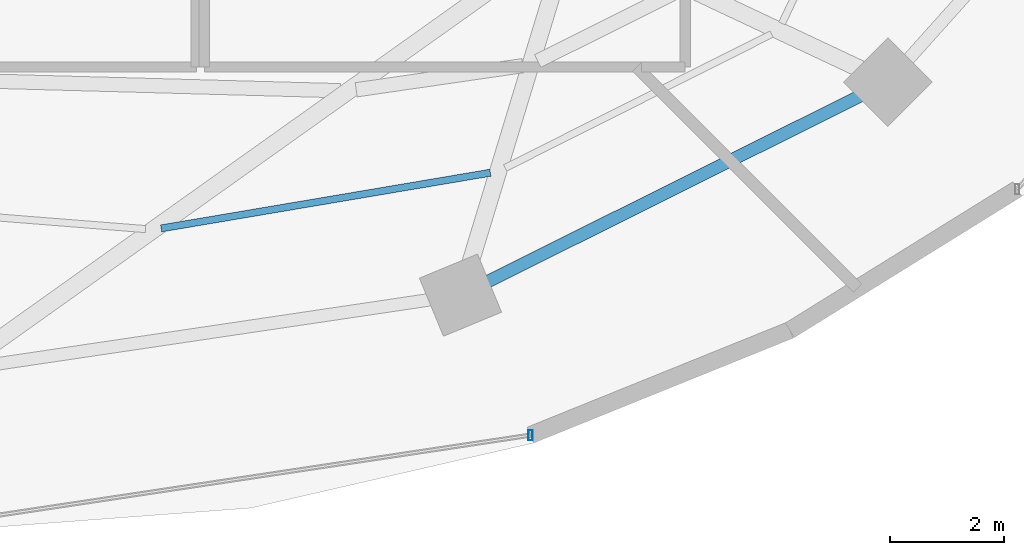
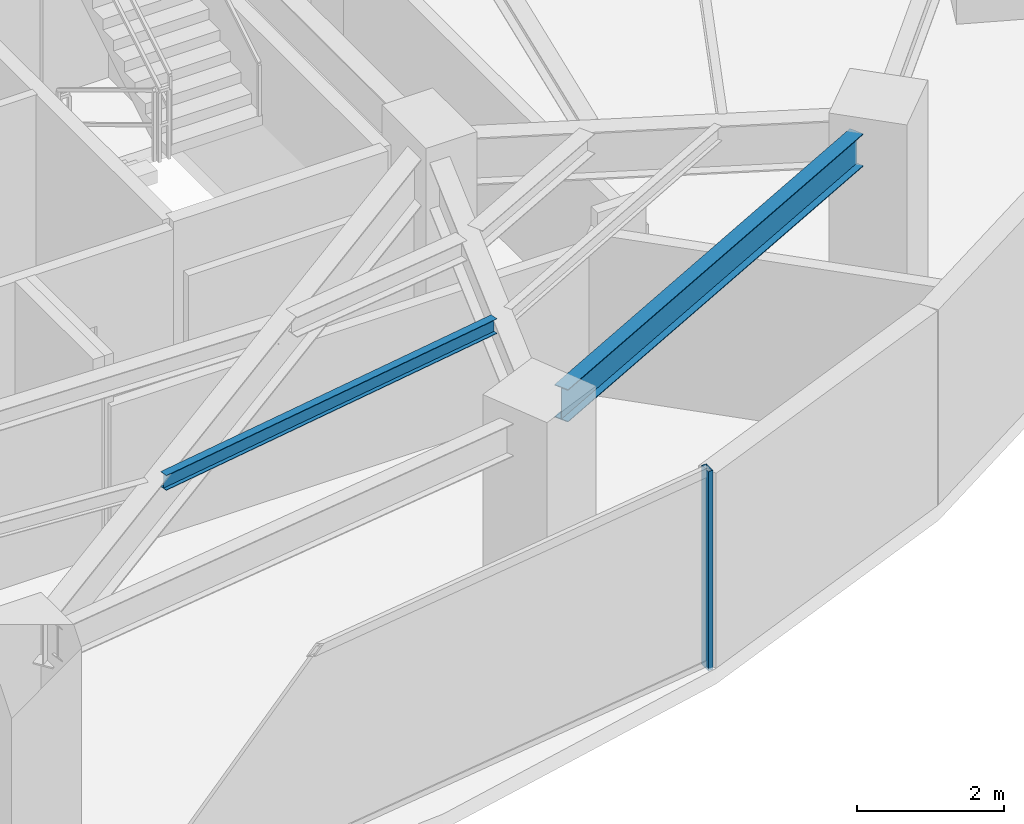
# One storey, part 11 of 31: 2 beams, 1 member, 1 element without a shape of its own.
"""IFC4 building model written with IfcOpenShell, lengths in metres."""

import ifcopenshell
import ifcopenshell.guid

model = None  # the IFC model being written
_history = None  # IfcOwnerHistory: only IFC2X3 demands one
_inside = {}  # id of a spatial element -> (the spatial element, [elements in it])
_under = {}  # id of a project, library or spatial element -> (it, [spatial elements below it])
_declared = {}  # id of a project -> (the project, [libraries it declares])
_typed = {}  # id of a type object -> (the type object, [elements of that type])
_made_of = {}  # id of a material, layer set ... -> (it, [elements and type objects made of it])


def new_model(schema):
    """Start an empty IFC model of exactly this schema.

    Asked for "IFC4X3", IfcOpenShell would pick the latest addendum, in which some entities
    have other attributes; the version numbers below select the first issue.
    IFC2X3 requires an IfcOwnerHistory on every rooted entity: one is made here for all.
    """
    global model, _history
    if schema == "IFC4X3":
        model = ifcopenshell.file(schema_version=(4, 3, 0, 0))
    else:
        model = ifcopenshell.file(schema=schema)
    _inside.clear()
    _under.clear()
    _declared.clear()
    _typed.clear()
    _made_of.clear()
    _history = None
    if model.schema == "IFC2X3":
        org = make("IfcOrganization", Name="unknown")
        user = make(
            "IfcPersonAndOrganization",
            ThePerson=make("IfcPerson", FamilyName="unknown"),
            TheOrganization=org,
        )
        app = make(
            "IfcApplication",
            ApplicationDeveloper=org,
            Version="unknown",
            ApplicationFullName="unknown",
            ApplicationIdentifier="unknown",
        )
        _history = make(
            "IfcOwnerHistory",
            OwningUser=user,
            OwningApplication=app,
            ChangeAction="ADDED",
            CreationDate=0,
        )
    return model


def make(cls, **values):
    """One entity of the class cls with the attributes given. An attribute that is None is left unset."""
    return model.create_entity(
        cls, **{name: value for name, value in values.items() if value is not None}
    )


def rooted(cls, **values):
    """An entity with a GlobalId (a new one), such as an element, a storey or a relation."""
    return make(cls, GlobalId=ifcopenshell.guid.new(), OwnerHistory=_history, **values)


def si_unit(unit_type, name, prefix=None):
    """IfcSIUnit, for example si_unit("LENGTHUNIT", "METRE", prefix="MILLI")."""
    return make("IfcSIUnit", UnitType=unit_type, Prefix=prefix, Name=name)


def assignment(units):
    """IfcUnitAssignment: the units of a project."""
    return None if units is None else make("IfcUnitAssignment", Units=units)


def point(xyz):
    """IfcCartesianPoint."""
    return None if xyz is None else make("IfcCartesianPoint", Coordinates=xyz)


def direction(xyz):
    """IfcDirection."""
    return None if xyz is None else make("IfcDirection", DirectionRatios=xyz)


def frame(location, z_axis=None, x_axis=None):
    """IfcAxis2Placement3D, a coordinate frame: its origin and axes. An axis left out is left unset."""
    return make(
        "IfcAxis2Placement3D",
        Location=point(location),
        Axis=direction(z_axis),
        RefDirection=direction(x_axis),
    )


def frame_2d(location, x_axis=None):
    """IfcAxis2Placement2D, a coordinate frame in the plane: its origin and x axis."""
    return make(
        "IfcAxis2Placement2D", Location=point(location), RefDirection=direction(x_axis)
    )


def origin():
    """The frame at (0, 0, 0) with its axes left unset."""
    return frame((0.0, 0.0, 0.0))


def origin_2d():
    """The frame at (0, 0) in the plane with its x axis left unset."""
    return frame_2d((0.0, 0.0))


def place(relative_to, where):
    """IfcLocalPlacement: puts the frame where relative to a parent placement (None: the world)."""
    return make(
        "IfcLocalPlacement", PlacementRelTo=relative_to, RelativePlacement=where
    )


def context(
    kind, dimensions, precision=None, world=None, true_north=None, identifier=None
):
    """IfcGeometricRepresentationContext, for example the 3D "Model" context."""
    return make(
        "IfcGeometricRepresentationContext",
        ContextIdentifier=identifier,
        ContextType=kind,
        CoordinateSpaceDimension=dimensions,
        Precision=precision,
        WorldCoordinateSystem=world,
        TrueNorth=true_north,
    )


def subcontext(parent, identifier, kind, view, scale=None):
    """IfcGeometricRepresentationSubContext, for example "Body" below "Model"."""
    return make(
        "IfcGeometricRepresentationSubContext",
        ContextIdentifier=identifier,
        ContextType=kind,
        ParentContext=parent,
        TargetScale=scale,
        TargetView=view,
    )


def project(units=None, contexts=None):
    """IfcProject with its units and contexts."""
    return rooted(
        "IfcProject",
        Name="project",
        RepresentationContexts=contexts,
        UnitsInContext=assignment(units),
    )


def spatial(cls, under=None, at=None, **own):
    """A site, building, storey or space (cls), placed at a placement, below another one or the project."""
    s = rooted(cls, ObjectPlacement=at, **own)
    if under is not None:
        _under.setdefault(under.id(), (under, []))[1].append(s)
    return s


def profile(cls, at=None, kind="AREA", **sizes):
    """A parametric profile (cls). Its sizes go by their IFC names, for example OverallWidth=200.0."""
    return make(cls, ProfileType=kind, Position=at, **sizes)


def hollow_rectangle(**sizes):
    """IfcRectangleHollowProfileDef."""
    return profile("IfcRectangleHollowProfileDef", **sizes)


def i_section(**sizes):
    """IfcIShapeProfileDef."""
    return profile("IfcIShapeProfileDef", **sizes)


def extrude(swept, where, along, depth):
    """IfcExtrudedAreaSolid: the profile swept, set in the frame where, extruded along a direction by depth."""
    return make(
        "IfcExtrudedAreaSolid",
        SweptArea=swept,
        Position=where,
        ExtrudedDirection=direction(along),
        Depth=depth,
    )


def shape(context_of_items, identifier, shape_type, items):
    """IfcShapeRepresentation: the items that make up one representation, for example the "Body"."""
    return make(
        "IfcShapeRepresentation",
        ContextOfItems=context_of_items,
        RepresentationIdentifier=identifier,
        RepresentationType=shape_type,
        Items=items,
    )


def material(Name=None, Category=None):
    """IfcMaterial."""
    return make("IfcMaterial", Name=Name, Category=Category)


def material_profile(
    of_material, cross_section, Name=None, Category=None, Priority=None
):
    """IfcMaterialProfile: a cross section and its material."""
    return make(
        "IfcMaterialProfile",
        Name=Name,
        Material=of_material,
        Profile=cross_section,
        Priority=Priority,
        Category=Category,
    )


def profile_set(profiles, Name=None, composite=None):
    """IfcMaterialProfileSet."""
    return make(
        "IfcMaterialProfileSet",
        Name=Name,
        MaterialProfiles=profiles,
        CompositeProfile=composite,
    )


def made_of(thing, what):
    """Note that an element or type object is made of a material, layer set ...; save() writes the relation."""
    if what is not None:
        _made_of.setdefault(what.id(), (what, []))[1].append(thing)
    return thing


def type_object(cls, material=None, **own):
    """A type object (cls), such as IfcWallType, which elements share."""
    return made_of(rooted(cls, **own), material)


def element(
    cls,
    number,
    at=None,
    inside=None,
    cuts=None,
    type_object=None,
    material=None,
    context=None,
    identifier="Body",
    shape_type=None,
    held_by="IfcProductDefinitionShape",
    body=None,
    shapes=None,
    **own,
):
    """One element of the class cls, such as IfcWall. Its Tag is "e" and its number.

    at: its placement. inside: the storey or other place that contains it. cuts: it is an
    opening in that element (IfcRelVoidsElement). A single representation is given by context,
    identifier, shape_type and body (its items); several are given by shapes. held_by: the class
    of the entity that holds the representations. save() writes the other relations.
    """
    e = rooted(cls, Tag="e%d" % number, ObjectPlacement=at, **own)
    if body is not None:
        shapes = [shape(context, identifier, shape_type, body)]
    if shapes is not None:
        e.Representation = make(held_by, Representations=shapes)
    if inside is not None:
        _inside.setdefault(inside.id(), (inside, []))[1].append(e)
    if cuts is not None:
        rooted(
            "IfcRelVoidsElement", RelatingBuildingElement=cuts, RelatedOpeningElement=e
        )
    if type_object is not None:
        _typed.setdefault(type_object.id(), (type_object, []))[1].append(e)
    return made_of(e, material)


def aggregate(whole, parts):
    """IfcRelAggregates: a whole, such as a stair, and the parts it consists of."""
    return rooted("IfcRelAggregates", RelatingObject=whole, RelatedObjects=parts)


def save(model, path):
    """Write the relations noted so far, then the file.

    IfcRelAggregates (storeys below a building ...), IfcRelContainedInSpatialStructure (elements
    in a storey), IfcRelDefinesByType, IfcRelAssociatesMaterial and IfcRelDeclares: one each for
    every whole, place, type object, material and project.
    """
    for whole, parts in _under.values():
        aggregate(whole, parts)
    for where, things in _inside.values():
        rooted(
            "IfcRelContainedInSpatialStructure",
            RelatedElements=things,
            RelatingStructure=where,
        )
    for kind, things in _typed.values():
        rooted("IfcRelDefinesByType", RelatedObjects=things, RelatingType=kind)
    for what, things in _made_of.values():
        rooted("IfcRelAssociatesMaterial", RelatedObjects=things, RelatingMaterial=what)
    for by, libraries in _declared.values():
        rooted("IfcRelDeclares", RelatingContext=by, RelatedDefinitions=libraries)
    model.write(path)


model = new_model("IFC4")

# Units and contexts
model_context = context("Model", 3, precision=1e-05, world=origin(), true_north=direction((0.0, 1.0)))
body_context = subcontext(model_context, "Body", "Model", "MODEL_VIEW")
ifc_project = project(units=[si_unit("LENGTHUNIT", "METRE"), si_unit("AREAUNIT", "SQUARE_METRE"), si_unit("VOLUMEUNIT", "CUBIC_METRE"), si_unit("PLANEANGLEUNIT", "RADIAN"), si_unit("MASSUNIT", "GRAM", prefix="KILO")], contexts=[model_context])

# Site, building, storey
site_placement = place(None, origin())
site = spatial("IfcSite", under=ifc_project, at=site_placement, CompositionType="ELEMENT")
building_placement = place(site_placement, origin())
building = spatial("IfcBuilding", under=site, at=building_placement, Name="Vorneva Point Tower", CompositionType="ELEMENT")
storey_placement = place(building_placement, frame((0.0, 0.0, 99.800048828125)))
storey = spatial("IfcBuildingStorey", under=building, at=storey_placement, Name="L26", CompositionType="ELEMENT", Elevation=99.800048828125)

# Beams
ifc_material_1 = material(Name="Steel S355", Category="steel")
ifc_material_profile_1 = material_profile(ifc_material_1, i_section(OverallWidth=0.1240234375, OverallDepth=0.248046875, WebThickness=0.0048828125, FlangeThickness=0.008056640625, at=origin_2d()), Name="25B1")
ifc_profile_set_1 = profile_set([ifc_material_profile_1], Name="Steel S355")
beam_type_1 = type_object("IfcBeamType", Name="BM-JST-25B1", PredefinedType="JOIST", material=ifc_profile_set_1)
beam_1_placement = place(storey_placement, frame((41.584716796875, 11.277099609375, 3.115966796875), z_axis=(0.985993367103, 0.166784531742, 0.0), x_axis=(-0.166784531742, 0.985993367103, 0.0)))
element("IfcBeam", 1, at=beam_1_placement, inside=storey, type_object=beam_type_1, Name="L26 Secondary Floor Beam 1.13", PredefinedType="JOIST", context=body_context, shape_type="SweptSolid", body=[
    extrude(i_section(OverallWidth=0.1240234375, OverallDepth=0.248046875, WebThickness=0.0048828125, FlangeThickness=0.008056640625, at=origin_2d()), origin(), (0.0, 0.0, 1.0), 5.840576171875),
])
ifc_material_profile_2 = material_profile(ifc_material_1, i_section(OverallWidth=0.219970703125, OverallDepth=0.54296875, WebThickness=0.009521484375, FlangeThickness=0.013427734375, at=origin_2d()), Name="55B1")
ifc_profile_set_2 = profile_set([ifc_material_profile_2], Name="Steel S355")
beam_type_2 = type_object("IfcBeamType", Name="BM-SPN-55B1", PredefinedType="SPANDREL", material=ifc_profile_set_2)
beam_2_placement = place(storey_placement, frame((47.2998046875, 10.347900390625, 2.968505859375), z_axis=(0.894915882304, 0.446234874926, 0.0), x_axis=(-0.446234874926, 0.894915882304, 0.0)))
element("IfcBeam", 2, at=beam_2_placement, inside=storey, type_object=beam_type_2, Name="L26 Perimeter Spandrel Ring Beam 14", PredefinedType="SPANDREL", context=body_context, shape_type="SweptSolid", body=[
    extrude(i_section(OverallWidth=0.219970703125, OverallDepth=0.54296875, WebThickness=0.009521484375, FlangeThickness=0.013427734375, at=origin_2d()), origin(), (0.0, 0.0, 1.0), 7.285888671875),
])

# Curtain wall, member
ifc_material_2 = material(Name="Pale anodised aluminium", Category="aluminium")
curtain_wall_type = type_object("IfcCurtainWallType", Name="CW-HTL-SYS", PredefinedType="NOTDEFINED", material=ifc_material_2)
curtain_wall_placement = place(storey_placement, origin())
curtain_wall = element("IfcCurtainWall", 3, at=curtain_wall_placement, inside=storey, type_object=curtain_wall_type, Name="L26 Unitised Curtain Wall CW-L26-R04", PredefinedType="NOTDEFINED")
ifc_material_profile_3 = material_profile(ifc_material_2, hollow_rectangle(XDim=0.074951171875, YDim=0.179931640625, WallThickness=0.00390625, at=origin_2d()), Name="AL-MUL 180x75x4")
ifc_profile_set_3 = profile_set([ifc_material_profile_3], Name="Pale anodised aluminium")
member_type = type_object("IfcMemberType", Name="CW-MUL-180", PredefinedType="MULLION", material=ifc_profile_set_3)
member_placement = place(storey_placement, frame((48.04541015625, 7.660888671875, -0.0400390625), z_axis=(0.0, 0.0, 1.0), x_axis=(1.0, 0.0, 0.0)))
member = element("IfcMember", 4, at=member_placement, type_object=member_type, Name="CW-L26-R04 Mullion 04", PredefinedType="MULLION", context=body_context, shape_type="SweptSolid", body=[
    extrude(hollow_rectangle(XDim=0.074951171875, YDim=0.179931640625, WallThickness=0.00390625, at=origin_2d()), origin(), (0.0, 0.0, 1.0), 3.31005859375),
])
aggregate(curtain_wall, [member])

save(model, "model.ifc")
